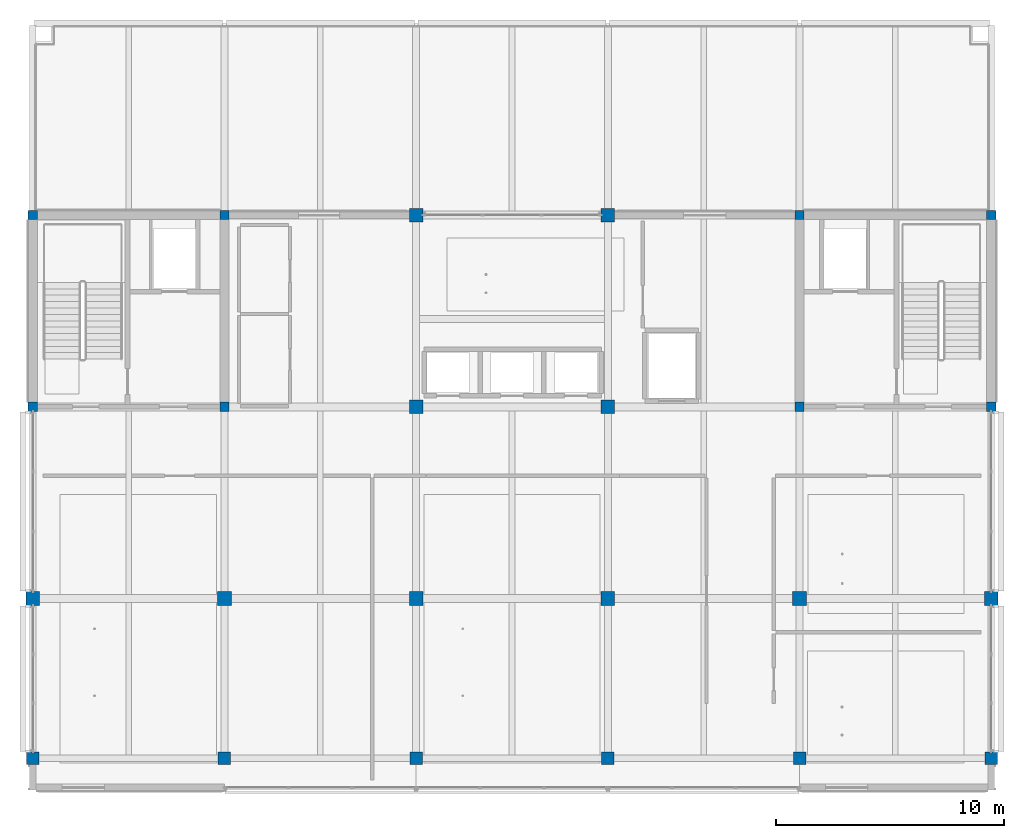
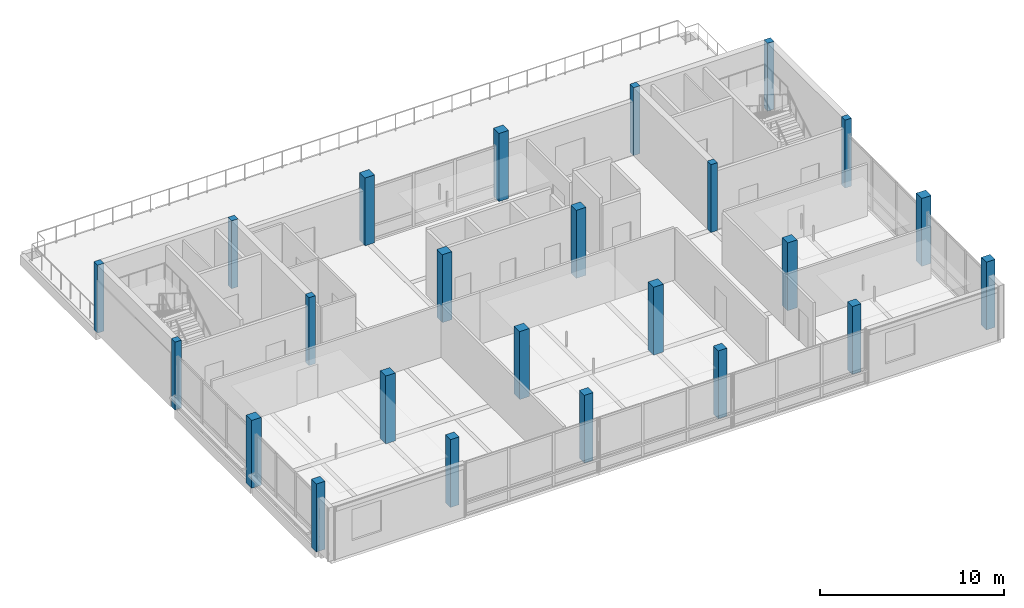
# One storey, part 1 of 25: 24 columns.
"""IFC4 building model written with IfcOpenShell, lengths in metres."""

from ifc_helpers import new_model, si_unit, direction, frame, origin, origin_2d, place, context, subcontext, project, spatial, rectangle, extrude, material, material_profile, profile_set, type_object, element, save


model = new_model("IFC4")

# Units and contexts
model_context = context("Model", 3, precision=1e-05, world=origin(), true_north=direction((0.0, 1.0)))
body_context = subcontext(model_context, "Body", "Model", "MODEL_VIEW")
ifc_project = project(units=[si_unit("LENGTHUNIT", "METRE"), si_unit("AREAUNIT", "SQUARE_METRE"), si_unit("VOLUMEUNIT", "CUBIC_METRE"), si_unit("PLANEANGLEUNIT", "RADIAN"), si_unit("MASSUNIT", "GRAM", prefix="KILO")], contexts=[model_context])

# Site, building, storey
site_placement = place(None, origin())
site = spatial("IfcSite", under=ifc_project, at=site_placement, CompositionType="ELEMENT")
building_placement = place(site_placement, origin())
building = spatial("IfcBuilding", under=site, at=building_placement, Name="Telukmera Botanical Conservatory", CompositionType="ELEMENT")
storey_placement = place(building_placement, frame((0.0, 0.0, 64.5)))
storey = spatial("IfcBuildingStorey", under=building, at=storey_placement, Name="L14", CompositionType="ELEMENT", Elevation=64.5)

# Columns
ifc_material_1 = material(Name="Concrete C40/50", Category="concrete")
ifc_material_profile_1 = material_profile(ifc_material_1, rectangle(XDim=0.60009765625, YDim=0.60009765625, at=origin_2d()), Name="RC 600x600")
ifc_profile_set_1 = profile_set([ifc_material_profile_1], Name="Concrete C40/50")
column_type_1 = type_object("IfcColumnType", Name="Col_C11", PredefinedType="COLUMN", material=ifc_profile_set_1)
for number, where, z_axis, x_axis, name in (
    (1, (58.800048828125, 17.60009765625, 0.0), (0.0, 0.0, 1.0), (1.0, 0.0, 0.0), "Column V4-L14 (58.8,17.6)"),
    (2, (67.199951171875, 17.60009765625, 0.0), (0.0, 0.0, 1.0), (1.0, 0.0, 0.0), "Column V4-L14 (67.2,17.6)"),
    (3, (75.60009765625, 17.60009765625, 0.0), (0.0, 0.0, 1.0), (1.0, 0.0, 0.0), "Column V4-L14 (75.6,17.6)"),
    (4, (75.60009765625, 26.0, 0.0), (0.0, 0.0, 1.0), (1.0, 0.0, 0.0), "Column V4-L14 (75.6,26.0)"),
    (5, (75.60009765625, 34.39990234375, 0.0), (0.0, 0.0, 1.0), (1.0, 0.0, 0.0), "Column V4-L14 (75.6,34.4)"),
    (6, (84.0, 17.60009765625, 0.0), (0.0, 0.0, 1.0), (1.0, 0.0, 0.0), "Column V4-L14 (84.0,17.6)"),
    (7, (84.0, 26.0, 0.0), (0.0, 0.0, 1.0), (1.0, 0.0, 0.0), "Column V4-L14 (84.0,26.0)"),
    (8, (84.0, 34.39990234375, 0.0), (0.0, 0.0, 1.0), (1.0, 0.0, 0.0), "Column V4-L14 (84.0,34.4)"),
    (9, (92.39990234375, 17.60009765625, 0.0), (0.0, 0.0, 1.0), (1.0, 0.0, 0.0), "Column V4-L14 (92.4,17.6)"),
    (10, (100.800048828125, 17.60009765625, 0.0), (0.0, 0.0, 1.0), (1.0, 0.0, 0.0), "Column V4-L14 (100.8,17.6)"),
):
    element("IfcColumn", number, at=place(storey_placement, frame(where, z_axis=z_axis, x_axis=x_axis)), inside=storey, type_object=column_type_1, Name=name, PredefinedType="COLUMN", context=body_context, shape_type="SweptSolid", body=[
        extrude(rectangle(XDim=0.60009765625, YDim=0.60009765625, at=origin_2d()), origin(), (0.0, 0.0, 1.0), 4.5),
    ])
ifc_material_profile_2 = material_profile(ifc_material_1, rectangle(XDim=0.550048828125, YDim=0.550048828125, at=origin_2d()), Name="RC 550x550")
ifc_profile_set_2 = profile_set([ifc_material_profile_2], Name="Concrete C40/50")
column_type_2 = type_object("IfcColumnType", Name="Col_C12", PredefinedType="COLUMN", material=ifc_profile_set_2)
for number, where, z_axis, x_axis, name in (
    (11, (58.800048828125, 10.60009765625, 0.0), (0.0, 0.0, 1.0), (1.0, 0.0, 0.0), "Column V4-L14 (58.8,10.6)"),
    (12, (67.199951171875, 10.60009765625, 0.0), (0.0, 0.0, 1.0), (1.0, 0.0, 0.0), "Column V4-L14 (67.2,10.6)"),
    (13, (75.60009765625, 10.60009765625, 0.0), (0.0, 0.0, 1.0), (1.0, 0.0, 0.0), "Column V4-L14 (75.6,10.6)"),
    (14, (84.0, 10.60009765625, 0.0), (0.0, 0.0, 1.0), (1.0, 0.0, 0.0), "Column V4-L14 (84.0,10.6)"),
    (15, (92.39990234375, 10.60009765625, 0.0), (0.0, 0.0, 1.0), (1.0, 0.0, 0.0), "Column V4-L14 (92.4,10.6)"),
    (16, (100.800048828125, 10.60009765625, 0.0), (0.0, 0.0, 1.0), (1.0, 0.0, 0.0), "Column V4-L14 (100.8,10.6)"),
):
    element("IfcColumn", number, at=place(storey_placement, frame(where, z_axis=z_axis, x_axis=x_axis)), inside=storey, type_object=column_type_2, Name=name, PredefinedType="COLUMN", context=body_context, shape_type="SweptSolid", body=[
        extrude(rectangle(XDim=0.550048828125, YDim=0.550048828125, at=origin_2d()), origin(), (0.0, 0.0, 1.0), 4.5),
    ])
ifc_material_2 = material(Name="Concrete C50/60", Category="concrete")
ifc_material_profile_3 = material_profile(ifc_material_2, rectangle(XDim=0.39990234375, YDim=0.39990234375, at=origin_2d()), Name="RC 400x400")
ifc_profile_set_3 = profile_set([ifc_material_profile_3], Name="Concrete C50/60")
column_type_3 = type_object("IfcColumnType", Name="Col_C14", PredefinedType="COLUMN", material=ifc_profile_set_3)
for number, where, z_axis, x_axis, name in (
    (17, (58.800048828125, 26.0, 0.0), (0.0, 0.0, 1.0), (1.0, 0.0, 0.0), "Column V4-L14 (58.8,26.0)"),
    (18, (58.800048828125, 34.39990234375, 0.0), (0.0, 0.0, 1.0), (1.0, 0.0, 0.0), "Column V4-L14 (58.8,34.4)"),
    (19, (67.199951171875, 26.0, 0.0), (0.0, 0.0, 1.0), (1.0, 0.0, 0.0), "Column V4-L14 (67.2,26.0)"),
    (20, (67.199951171875, 34.39990234375, 0.0), (0.0, 0.0, 1.0), (1.0, 0.0, 0.0), "Column V4-L14 (67.2,34.4)"),
    (21, (92.39990234375, 26.0, 0.0), (0.0, 0.0, 1.0), (1.0, 0.0, 0.0), "Column V4-L14 (92.4,26.0)"),
    (22, (92.39990234375, 34.39990234375, 0.0), (0.0, 0.0, 1.0), (1.0, 0.0, 0.0), "Column V4-L14 (92.4,34.4)"),
    (23, (100.800048828125, 26.0, 0.0), (0.0, 0.0, 1.0), (1.0, 0.0, 0.0), "Column V4-L14 (100.8,26.0)"),
    (24, (100.800048828125, 34.39990234375, 0.0), (0.0, 0.0, 1.0), (1.0, 0.0, 0.0), "Column V4-L14 (100.8,34.4)"),
):
    element("IfcColumn", number, at=place(storey_placement, frame(where, z_axis=z_axis, x_axis=x_axis)), inside=storey, type_object=column_type_3, Name=name, PredefinedType="COLUMN", context=body_context, shape_type="SweptSolid", body=[
        extrude(rectangle(XDim=0.39990234375, YDim=0.39990234375, at=origin_2d()), origin(), (0.0, 0.0, 1.0), 4.5),
    ])

save(model, "model.ifc")
